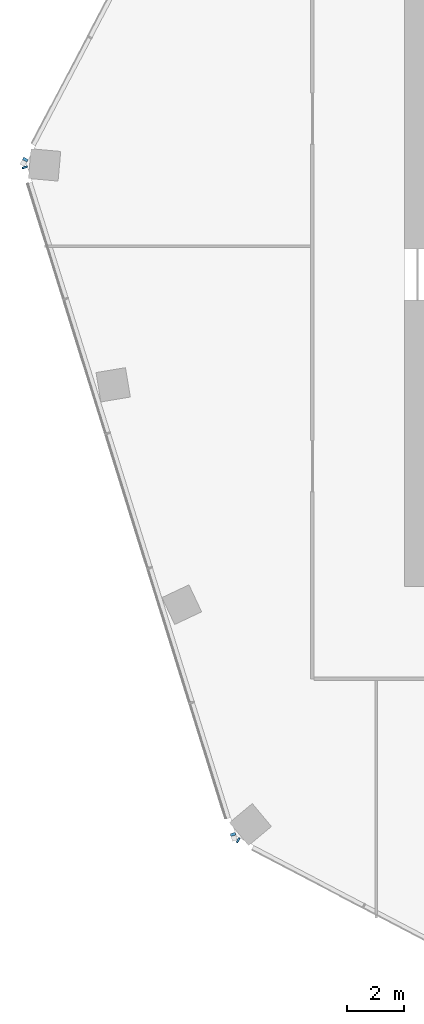
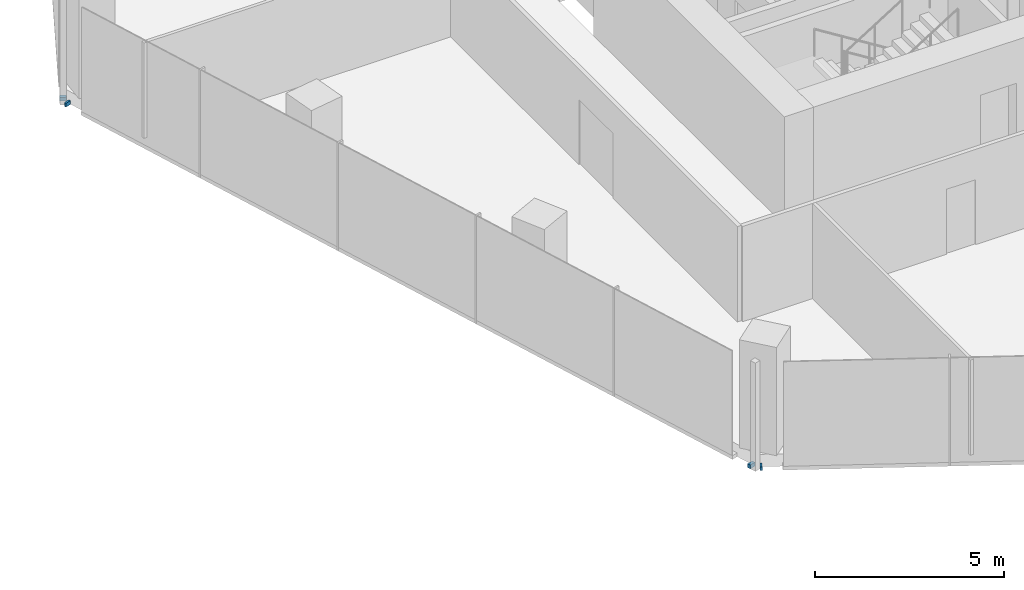
# One storey, part 12 of 23: 4 members, 3 elements without a shape of their own.
"""IFC4 building model written with IfcOpenShell, lengths in metres."""

from ifc_helpers import new_model, si_unit, direction, frame, origin, origin_2d, place, context, subcontext, project, spatial, rectangle, extrude, material, material_profile, profile_set, type_object, element, aggregate, save


model = new_model("IFC4")

# Units and contexts
model_context = context("Model", 3, precision=1e-05, world=origin(), true_north=direction((0.0, 1.0)))
body_context = subcontext(model_context, "Body", "Model", "MODEL_VIEW")
ifc_project = project(units=[si_unit("LENGTHUNIT", "METRE"), si_unit("AREAUNIT", "SQUARE_METRE"), si_unit("VOLUMEUNIT", "CUBIC_METRE"), si_unit("PLANEANGLEUNIT", "RADIAN"), si_unit("MASSUNIT", "GRAM", prefix="KILO")], contexts=[model_context])

# Site, building, storey
site_placement = place(None, origin())
site = spatial("IfcSite", under=ifc_project, at=site_placement, CompositionType="ELEMENT")
building_placement = place(site_placement, origin())
building = spatial("IfcBuilding", under=site, at=building_placement, Name="Orlundy Tower", CompositionType="ELEMENT")
storey_placement = place(building_placement, frame((0.0, 0.0, 260.5)))
storey = spatial("IfcBuildingStorey", under=building, at=storey_placement, Name="L69", CompositionType="ELEMENT", Elevation=260.5)

# Curtain wall, member
ifc_material_1 = material(Name="Aluminium bronze anodised", Category="aluminium")
curtain_wall_type = type_object("IfcCurtainWallType", Name="CW1 wall", PredefinedType="NOTDEFINED", material=ifc_material_1)
curtain_wall_1_placement = place(storey_placement, origin())
curtain_wall_1 = element("IfcCurtainWall", 1, at=curtain_wall_1_placement, inside=storey, type_object=curtain_wall_type, Name="CW1 run 00", PredefinedType="NOTDEFINED")
ifc_material_2 = material(Name="Aluminium bronze anodised", Category="aluminium")
ifc_material_profile = material_profile(ifc_material_2, rectangle(XDim=0.179931640625, YDim=0.1201171875, at=origin_2d()), Name="CW1 transom 180x120")
ifc_profile_set = profile_set([ifc_material_profile], Name="Aluminium bronze anodised")
member_type = type_object("IfcMemberType", Name="CW1 transom 180x120", PredefinedType="USERDEFINED", material=ifc_profile_set)
member_1_placement = place(storey_placement, frame((-24.8447265625, -20.948974609375, -0.340087890625), z_axis=(-0.884289970919, 0.466938162214, 0.0), x_axis=(-0.466938162214, -0.884289970919, 0.0)))
member_1 = element("IfcMember", 2, at=member_1_placement, type_object=member_type, Name="CW1 transom", ObjectType="TRANSOM", PredefinedType="USERDEFINED", context=body_context, shape_type="SweptSolid", body=[
    extrude(rectangle(XDim=0.179931640625, YDim=0.1201171875, at=origin_2d()), origin(), (0.0, 0.0, 1.0), 0.05908203125),
])
aggregate(curtain_wall_1, [member_1])

# Curtain wall, members
curtain_wall_2_placement = place(storey_placement, origin())
curtain_wall_2 = element("IfcCurtainWall", 3, at=curtain_wall_2_placement, inside=storey, type_object=curtain_wall_type, Name="CW1 run 01", PredefinedType="NOTDEFINED")
member_2_placement = place(storey_placement, frame((-25.03662109375, -20.7763671875, -0.340087890625), z_axis=(-0.299430668183, 0.954118061328, 0.0), x_axis=(-0.954118061328, -0.299430668183, 0.0)))
member_2 = element("IfcMember", 4, at=member_2_placement, type_object=member_type, Name="CW1 transom", ObjectType="TRANSOM", PredefinedType="USERDEFINED", context=body_context, shape_type="SweptSolid", body=[
    extrude(rectangle(XDim=0.179931640625, YDim=0.1201171875, at=origin_2d()), origin(), (0.0, 0.0, 1.0), 0.09619140625),
])
member_3_placement = place(storey_placement, frame((-32.380859375, 2.753173828125, -0.340087890625), z_axis=(-0.300555941545, 0.953764187838, 0.0), x_axis=(-0.953764187838, -0.300555941545, 0.0)))
member_3 = element("IfcMember", 5, at=member_3_placement, type_object=member_type, Name="CW1 transom", ObjectType="TRANSOM", PredefinedType="USERDEFINED", context=body_context, shape_type="SweptSolid", body=[
    extrude(rectangle(XDim=0.179931640625, YDim=0.1201171875, at=origin_2d()), origin(), (0.0, 0.0, 1.0), 0.06103515625),
])
aggregate(curtain_wall_2, [member_2, member_3])

# Curtain wall, member
curtain_wall_3_placement = place(storey_placement, origin())
curtain_wall_3 = element("IfcCurtainWall", 6, at=curtain_wall_3_placement, inside=storey, type_object=curtain_wall_type, Name="CW1 run 02", PredefinedType="NOTDEFINED")
member_4_placement = place(storey_placement, frame((-32.395263671875, 3.012451171875, -0.340087890625), z_axis=(0.465028834138, 0.885295534508, 0.0), x_axis=(-0.885295534508, 0.465028834138, 0.0)))
member_4 = element("IfcMember", 7, at=member_4_placement, type_object=member_type, Name="CW1 transom", ObjectType="TRANSOM", PredefinedType="USERDEFINED", context=body_context, shape_type="SweptSolid", body=[
    extrude(rectangle(XDim=0.179931640625, YDim=0.1201171875, at=origin_2d()), origin(), (0.0, 0.0, 1.0), 0.09814453125),
])
aggregate(curtain_wall_3, [member_4])

save(model, "model.ifc")
